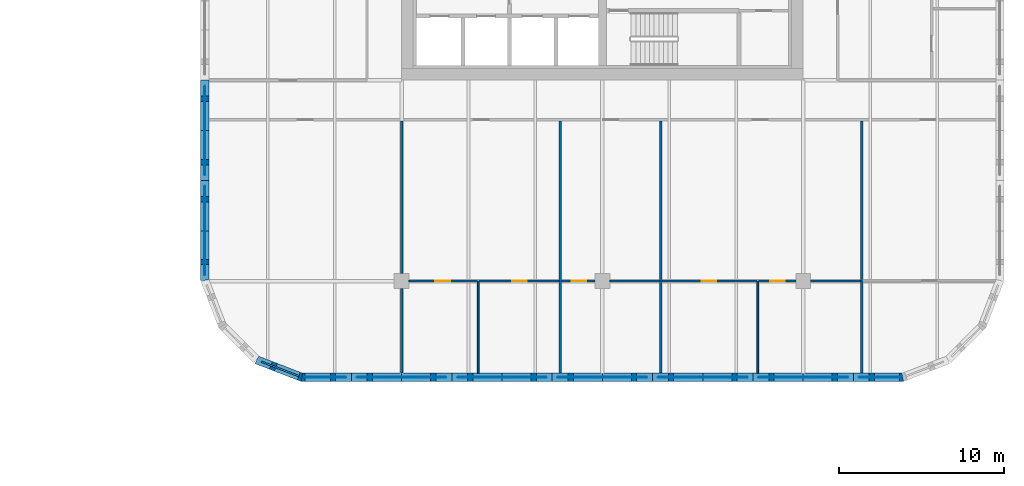
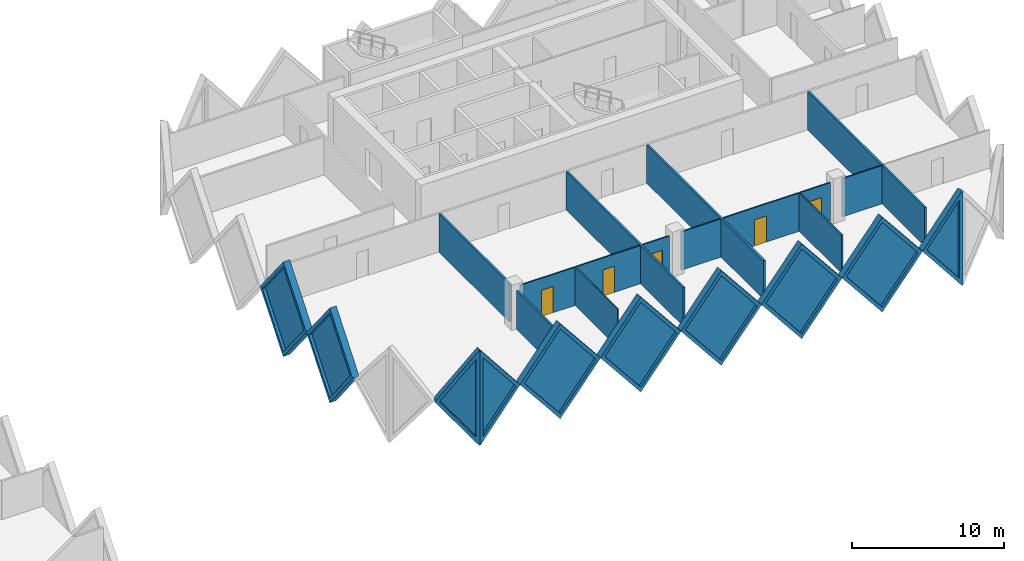
# One storey, part 11 of 18: 25 walls, 10 plates, 5 doors, 15 openings.
"""IFC4 building model written with IfcOpenShell, lengths in metres."""

from ifc_helpers import new_model, si_unit, direction, frame, frame_2d, origin, place, context, subcontext, project, spatial, polyline, rectangle, outline, extrude, faceted_brep, source, transform, mapped, material, layer, layer_set, type_object, element, fill, save


model = new_model("IFC4")

# Units and contexts
model_context = context("Model", 3, precision=1e-05, world=origin(), true_north=direction((0.0, 1.0)))
body_context = subcontext(model_context, "Body", "Model", "MODEL_VIEW")
ifc_project = project(units=[si_unit("LENGTHUNIT", "METRE"), si_unit("AREAUNIT", "SQUARE_METRE"), si_unit("VOLUMEUNIT", "CUBIC_METRE"), si_unit("PLANEANGLEUNIT", "RADIAN"), si_unit("MASSUNIT", "GRAM", prefix="KILO")], contexts=[model_context])

# Site, building, storey
site_placement = place(None, origin())
site = spatial("IfcSite", under=ifc_project, at=site_placement, CompositionType="ELEMENT")
building_placement = place(site_placement, origin())
building = spatial("IfcBuilding", under=site, at=building_placement, Name="Tessera Gate Towers", CompositionType="ELEMENT")
storey_placement = place(building_placement, frame((0.0, 0.0, 56.199951171875)))
storey = spatial("IfcBuildingStorey", under=building, at=storey_placement, Name="L13", CompositionType="ELEMENT", Elevation=56.199951171875)

# Wall, opening, door
ifc_material_1 = material(Name="Glass", Category="glass")
ifc_layer_1 = layer(ifc_material_1, 0.10009765625)
ifc_layer_set_1 = layer_set([ifc_layer_1], Name="GLAZED PARTITION 100")
wall_type_1 = type_object("IfcWallType", Name="GLAZED PARTITION 100", PredefinedType="PARTITIONING", material=ifc_layer_set_1)
wall_1_placement = place(storey_placement, frame((102.210693359375, 24.39990234375, 0.0), z_axis=(0.0, 0.0, 1.0), x_axis=(-1.0, 0.0, 0.0)))
wall_1 = element("IfcWall", 1, at=wall_1_placement, inside=storey, type_object=wall_type_1, Name="T2-L13-PW-007", PredefinedType="PARTITIONING", context=body_context, shape_type="SweptSolid", body=[
    extrude(rectangle(XDim=4.15966796875, YDim=0.10009765625, at=frame_2d((2.079833984375, 0.0))), origin(), (0.0, 0.0, 1.0), 3.067138671875),
])
shared_shape_1 = source(origin(), body_context, "Body", "SweptSolid", [
    extrude(rectangle(XDim=0.89990234375, YDim=2.10009765625, at=frame_2d((0.449951171875, 1.050048828125))), frame((0.0, 0.06005859375, 0.0), z_axis=(0.0, -1.0, 0.0), x_axis=(1.0, 0.0, 0.0)), (0.0, 0.0, 1.0), 0.1201171875),
])
opening_1_placement = place(wall_1_placement, frame((1.659912109375, 0.0, 0.0)))
opening_1 = element("IfcOpeningElement", 2, at=opening_1_placement, cuts=wall_1, Name="Opening D690-B06-01", PredefinedType="OPENING", context=body_context, shape_type="MappedRepresentation", body=[
    mapped(shared_shape_1, transform((0.0, 0.0, 0.0), scale=1.0)),
])
ifc_material_2 = material(Name="Glass in aluminium frame", Category="aluminium")
door_type = type_object("IfcDoorType", Name="GLAZED DOOR 900 NOT RATED", OperationType="NOTDEFINED", PredefinedType="DOOR", material=ifc_material_2)
shared_shape_2 = source(origin(), body_context, "Body", "SweptSolid", [
    extrude(rectangle(XDim=0.89990234375, YDim=2.10009765625, at=frame_2d((0.449951171875, 1.050048828125))), frame((0.0, 0.02490234375, 0.0), z_axis=(0.0, -1.0, 0.0), x_axis=(1.0, 0.0, 0.0)), (0.0, 0.0, 1.0), 0.050048828125),
])
door_1_placement = place(opening_1_placement, origin())
door_1 = element("IfcDoor", 3, at=door_1_placement, inside=storey, type_object=door_type, Name="T2-L13-PD-001", OperationType="SINGLE_SWING_RIGHT", OverallHeight=2.10009765625, OverallWidth=0.89990234375, PredefinedType="DOOR", context=body_context, shape_type="MappedRepresentation", body=[
    mapped(shared_shape_2, transform((0.0, 0.0, 0.0), scale=1.0)),
])
fill(opening_1, door_1)

wall_2_placement = place(storey_placement, frame((107.174072265625, 24.39990234375, 0.0), z_axis=(0.0, 0.0, 1.0), x_axis=(-1.0, 0.0, 0.0)))
wall_2 = element("IfcWall", 4, at=wall_2_placement, inside=storey, type_object=wall_type_1, Name="T2-L13-PW-008", PredefinedType="PARTITIONING", context=body_context, shape_type="SweptSolid", body=[
    extrude(rectangle(XDim=4.861328125, YDim=0.10009765625, at=frame_2d((2.4306640625, 0.0))), origin(), (0.0, 0.0, 1.0), 3.067138671875),
])
opening_2_placement = place(wall_2_placement, frame((1.961181640625, 0.0, 0.0)))
opening_2 = element("IfcOpeningElement", 5, at=opening_2_placement, cuts=wall_2, Name="Opening D690-B06-02", PredefinedType="OPENING", context=body_context, shape_type="MappedRepresentation", body=[
    mapped(shared_shape_1, transform((0.0, 0.0, 0.0), scale=1.0)),
])
door_2_placement = place(opening_2_placement, origin())
door_2 = element("IfcDoor", 6, at=door_2_placement, inside=storey, type_object=door_type, Name="T2-L13-PD-004", OperationType="SINGLE_SWING_RIGHT", OverallHeight=2.10009765625, OverallWidth=0.89990234375, PredefinedType="DOOR", context=body_context, shape_type="MappedRepresentation", body=[
    mapped(shared_shape_2, transform((0.0, 0.0, 0.0), scale=1.0)),
])
fill(opening_2, door_2)

wall_3_placement = place(storey_placement, frame((109.34912109375, 24.39990234375, 0.0), z_axis=(0.0, 0.0, 1.0), x_axis=(-1.0, 0.0, 0.0)))
wall_3 = element("IfcWall", 7, at=wall_3_placement, inside=storey, type_object=wall_type_1, Name="T2-L13-PW-009", PredefinedType="PARTITIONING", context=body_context, shape_type="SweptSolid", body=[
    extrude(rectangle(XDim=2.023193359375, YDim=0.10009765625, at=frame_2d((1.01171875, 0.0))), origin(), (0.0, 0.0, 1.0), 3.067138671875),
])
opening_3_placement = place(wall_3_placement, frame((0.52294921875, 0.0, 0.0)))
opening_3 = element("IfcOpeningElement", 8, at=opening_3_placement, cuts=wall_3, Name="Opening D690-B06-03", PredefinedType="OPENING", context=body_context, shape_type="MappedRepresentation", body=[
    mapped(shared_shape_1, transform((0.0, 0.0, 0.0), scale=1.0)),
])
door_3_placement = place(opening_3_placement, origin())
door_3 = element("IfcDoor", 9, at=door_3_placement, inside=storey, type_object=door_type, Name="T2-L13-PD-005", OperationType="SINGLE_SWING_RIGHT", OverallHeight=2.10009765625, OverallWidth=0.89990234375, PredefinedType="DOOR", context=body_context, shape_type="MappedRepresentation", body=[
    mapped(shared_shape_2, transform((0.0, 0.0, 0.0), scale=1.0)),
])
fill(opening_3, door_3)

# Wall
wall_4_placement = place(storey_placement, frame((110.2509765625, 24.39990234375, 0.0), z_axis=(0.0, 0.0, 1.0), x_axis=(1.0, 0.0, 0.0)))
element("IfcWall", 10, at=wall_4_placement, inside=storey, type_object=wall_type_1, Name="T2-L13-PW-010", PredefinedType="PARTITIONING", context=body_context, shape_type="SweptSolid", body=[
    extrude(rectangle(XDim=3.02294921875, YDim=0.10009765625, at=frame_2d((1.511474609375, 0.0))), origin(), (0.0, 0.0, 1.0), 3.067138671875),
])

# Wall, opening, door
wall_5_placement = place(storey_placement, frame((119.192626953125, 24.39990234375, 0.0), z_axis=(0.0, 0.0, 1.0), x_axis=(-1.0, 0.0, 0.0)))
wall_5 = element("IfcWall", 11, at=wall_5_placement, inside=storey, type_object=wall_type_1, Name="T2-L13-PW-011", PredefinedType="PARTITIONING", context=body_context, shape_type="SweptSolid", body=[
    extrude(rectangle(XDim=5.7666015625, YDim=0.10009765625, at=frame_2d((2.88330078125, 0.0))), origin(), (0.0, 0.0, 1.0), 3.067138671875),
])
opening_4_placement = place(wall_5_placement, frame((2.466796875, 0.0, 0.0)))
opening_4 = element("IfcOpeningElement", 12, at=opening_4_placement, cuts=wall_5, Name="Opening D690-B06-05", PredefinedType="OPENING", context=body_context, shape_type="MappedRepresentation", body=[
    mapped(shared_shape_1, transform((0.0, 0.0, 0.0), scale=1.0)),
])
door_4_placement = place(opening_4_placement, origin())
door_4 = element("IfcDoor", 13, at=door_4_placement, inside=storey, type_object=door_type, Name="T2-L13-PD-011", OperationType="SINGLE_SWING_RIGHT", OverallHeight=2.10009765625, OverallWidth=0.89990234375, PredefinedType="DOOR", context=body_context, shape_type="MappedRepresentation", body=[
    mapped(shared_shape_2, transform((0.0, 0.0, 0.0), scale=1.0)),
])
fill(opening_4, door_4)

wall_6_placement = place(storey_placement, frame((121.549072265625, 24.39990234375, 0.0), z_axis=(0.0, 0.0, 1.0), x_axis=(-1.0, 0.0, 0.0)))
wall_6 = element("IfcWall", 14, at=wall_6_placement, inside=storey, type_object=wall_type_1, Name="T2-L13-PW-012", PredefinedType="PARTITIONING", context=body_context, shape_type="SweptSolid", body=[
    extrude(rectangle(XDim=2.25439453125, YDim=0.10009765625, at=frame_2d((1.127197265625, 0.0))), origin(), (0.0, 0.0, 1.0), 3.067138671875),
])
opening_5_placement = place(wall_6_placement, frame((0.654296875, 0.0, 0.0)))
opening_5 = element("IfcOpeningElement", 15, at=opening_5_placement, cuts=wall_6, Name="Opening D690-B06-04", PredefinedType="OPENING", context=body_context, shape_type="MappedRepresentation", body=[
    mapped(shared_shape_1, transform((0.0, 0.0, 0.0), scale=1.0)),
])
door_5_placement = place(opening_5_placement, origin())
door_5 = element("IfcDoor", 16, at=door_5_placement, inside=storey, type_object=door_type, Name="T2-L13-PD-008", OperationType="SINGLE_SWING_RIGHT", OverallHeight=2.10009765625, OverallWidth=0.89990234375, PredefinedType="DOOR", context=body_context, shape_type="MappedRepresentation", body=[
    mapped(shared_shape_2, transform((0.0, 0.0, 0.0), scale=1.0)),
])
fill(opening_5, door_5)

# Walls
wall_7_placement = place(storey_placement, frame((122.450927734375, 24.39990234375, 0.0), z_axis=(0.0, 0.0, 1.0), x_axis=(1.0, 0.0, 0.0)))
element("IfcWall", 17, at=wall_7_placement, inside=storey, type_object=wall_type_1, Name="T2-L13-PW-013", PredefinedType="PARTITIONING", context=body_context, shape_type="SweptSolid", body=[
    extrude(rectangle(XDim=3.023193359375, YDim=0.10009765625, at=frame_2d((1.51171875, 0.0))), origin(), (0.0, 0.0, 1.0), 3.067138671875),
])
ifc_material_3 = material(Name="Gypsum board on steel studs", Category="steel")
ifc_layer_2 = layer(ifc_material_3, 0.10009765625)
ifc_layer_set_2 = layer_set([ifc_layer_2], Name="PARTITION 100")
wall_type_2 = type_object("IfcWallType", Name="PARTITION 100", PredefinedType="PARTITIONING", material=ifc_layer_set_2)
for number, where, z_axis, x_axis, name in (
    (18, (102.261962890625, 18.800048828125, 0.0), (0.0, 0.0, 1.0), (0.0, 1.0, 0.0), "T2-L13-PW-002"),
    (19, (119.243896484375, 18.800048828125, 0.0), (0.0, 0.0, 1.0), (0.0, 1.0, 0.0), "T2-L13-PW-005"),
):
    element("IfcWall", number, at=place(storey_placement, frame(where, z_axis=z_axis, x_axis=x_axis)), inside=storey, type_object=wall_type_2, Name=name, PredefinedType="PARTITIONING", context=body_context, shape_type="SweptSolid", body=[
        extrude(rectangle(XDim=5.599853515625, YDim=0.10009765625, at=frame_2d((2.7998046875, 0.0))), origin(), (0.0, 0.0, 1.0), 3.067138671875),
    ])
ifc_material_4 = material(Name="Gypsum board on steel studs, mineral wool", Category="steel")
ifc_layer_3 = layer(ifc_material_4, 0.14990234375)
ifc_layer_set_3 = layer_set([ifc_layer_3], Name="TENANCY WALL 150")
wall_type_3 = type_object("IfcWallType", Name="TENANCY WALL 150", PredefinedType="PARTITIONING", material=ifc_layer_set_3)
wall_8_placement = place(storey_placement, frame((97.60009765625, 18.800048828125, 0.0), z_axis=(0.0, 0.0, 1.0), x_axis=(0.0, 1.0, 0.0)))
element("IfcWall", 20, at=wall_8_placement, inside=storey, type_object=wall_type_3, Name="T2-L13-PW-001", PredefinedType="PARTITIONING", context=body_context, shape_type="SweptSolid", body=[
    extrude(rectangle(XDim=5.14892578125, YDim=0.14990234375, at=frame_2d((2.574462890625, 0.0))), origin(), (0.0, 0.0, 1.0), 3.067138671875),
])
for number, where, z_axis, x_axis, name in (
    (21, (107.25, 18.800048828125, 0.0), (0.0, 0.0, 1.0), (0.0, 1.0, 0.0), "T2-L13-PW-003"),
    (22, (113.35009765625, 18.800048828125, 0.0), (0.0, 0.0, 1.0), (0.0, 1.0, 0.0), "T2-L13-PW-004"),
):
    element("IfcWall", number, at=place(storey_placement, frame(where, z_axis=z_axis, x_axis=x_axis)), inside=storey, type_object=wall_type_3, Name=name, PredefinedType="PARTITIONING", context=body_context, shape_type="SweptSolid", body=[
        extrude(rectangle(XDim=15.323974609375, YDim=0.14990234375, at=frame_2d((7.662109375, 0.0))), origin(), (0.0, 0.0, 1.0), 3.067138671875),
    ])
wall_9_placement = place(storey_placement, frame((125.550048828125, 18.800048828125, 0.0), z_axis=(0.0, 0.0, 1.0), x_axis=(0.0, 1.0, 0.0)))
element("IfcWall", 23, at=wall_9_placement, inside=storey, type_object=wall_type_3, Name="T2-L13-PW-006", PredefinedType="PARTITIONING", context=body_context, shape_type="SweptSolid", body=[
    extrude(rectangle(XDim=5.599853515625, YDim=0.14990234375, at=frame_2d((2.7998046875, 0.0))), origin(), (0.0, 0.0, 1.0), 3.067138671875),
])
wall_10_placement = place(storey_placement, frame((125.550048828125, 24.4150390625, 0.0), z_axis=(0.0, 0.0, 1.0), x_axis=(0.0, 1.0, 0.0)))
element("IfcWall", 24, at=wall_10_placement, inside=storey, type_object=wall_type_3, Name="T2-L13-PW-014", PredefinedType="PARTITIONING", context=body_context, shape_type="SweptSolid", body=[
    extrude(rectangle(XDim=9.708984375, YDim=0.14990234375, at=frame_2d((4.8544921875, 0.0))), origin(), (0.0, 0.0, 1.0), 3.067138671875),
])
wall_11_placement = place(storey_placement, frame((97.60009765625, 24.85107421875, 0.0), z_axis=(0.0, 0.0, 1.0), x_axis=(0.0, 1.0, 0.0)))
element("IfcWall", 25, at=wall_11_placement, inside=storey, type_object=wall_type_3, Name="T2-L13-PW-016", PredefinedType="PARTITIONING", context=body_context, shape_type="SweptSolid", body=[
    extrude(rectangle(XDim=9.27294921875, YDim=0.14990234375, at=frame_2d((4.636474609375, 0.0))), origin(), (0.0, 0.0, 1.0), 3.067138671875),
])

# Wall, opening, plate
ifc_material_5 = material(Name="Precast concrete C60/75 white", Category="concrete")
ifc_layer_4 = layer(ifc_material_5, 0.5)
ifc_layer_set_4 = layer_set([ifc_layer_4], Name="TS1 tessera")
wall_type_4 = type_object("IfcWallType", Name="TS1 tessera", PredefinedType="SOLIDWALL", material=ifc_layer_set_4)
shared_shape_3 = source(origin(), body_context, "Body", "Brep", [
    faceted_brep([(3.050048828125, -0.25, 0.0), (6.099853515625, -0.25, 3.7998046875), (6.099853515625, -0.25, 3.80029296875), (3.050048828125, -0.25, 7.60009765625), (0.0, -0.25, 3.800048828125), (0.0, 0.25, 3.800048828125), (3.050048828125, 0.25, 7.60009765625), (6.099853515625, 0.25, 3.80029296875), (6.099853515625, 0.25, 3.7998046875), (3.050048828125, 0.25, 0.0)], [[[0, 1, 2, 3, 4]], [[5, 6, 7, 8, 9]], [[9, 8, 1, 0]], [[7, 6, 3, 2]], [[6, 5, 4, 3]], [[5, 9, 0, 4]], [[1, 8, 7, 2]]]),
])
wall_12_placement = place(storey_placement, frame((94.550048828125, 18.550048828125, -3.800048828125), z_axis=(0.0, 0.0, 1.0), x_axis=(1.0, 0.0, 0.0)))
wall_12 = element("IfcWall", 26, at=wall_12_placement, inside=storey, type_object=wall_type_4, Name="Precast tessera T2 TS1-0144", PredefinedType="SOLIDWALL", context=body_context, shape_type="MappedRepresentation", body=[
    mapped(shared_shape_3, transform((0.0, 0.0, 0.0), scale=1.0)),
])
shared_shape_4 = source(origin(), body_context, "Body", "SweptSolid", [
    extrude(outline(polyline([(3.050048828125, 0.3994140625), (5.779541015625, 3.800048828125), (3.050048828125, 7.20068359375), (0.320556640625, 3.800048828125), (3.050048828125, 0.3994140625)])), frame((0.0, 0.260009765625, 0.0), z_axis=(0.0, -1.0, 0.0), x_axis=(1.0, 0.0, 0.0)), (0.0, 0.0, 1.0), 0.52001953125),
])
opening_6_placement = place(wall_12_placement, origin())
opening_6 = element("IfcOpeningElement", 27, at=opening_6_placement, cuts=wall_12, Name="Opening T2-PL2-0274", PredefinedType="OPENING", context=body_context, shape_type="MappedRepresentation", body=[
    mapped(shared_shape_4, transform((0.0, 0.0, 0.0), scale=1.0)),
])
ifc_material_6 = material(Name="Low-e laminated glass", Category="glass")
ifc_layer_5 = layer(ifc_material_6, 0.06005859375)
ifc_layer_set_5 = layer_set([ifc_layer_5], Name="PL2 rhombic pane")
plate_type = type_object("IfcPlateType", Name="PL2 rhombic pane", PredefinedType="SHEET", material=ifc_layer_set_5)
shared_shape_5 = source(origin(), body_context, "Body", "SweptSolid", [
    extrude(outline(polyline([(3.050048828125, 0.3994140625), (5.779541015625, 3.800048828125), (3.050048828125, 7.20068359375), (0.320556640625, 3.800048828125), (3.050048828125, 0.3994140625)])), frame((0.0, 0.030029296875, 0.0), z_axis=(0.0, -1.0, 0.0), x_axis=(1.0, 0.0, 0.0)), (0.0, 0.0, 1.0), 0.06005859375),
])
plate_1_placement = place(opening_6_placement, origin())
plate_1 = element("IfcPlate", 28, at=plate_1_placement, inside=storey, type_object=plate_type, Name="Glass pane T2 PL2-0274", PredefinedType="SHEET", context=body_context, shape_type="MappedRepresentation", body=[
    mapped(shared_shape_5, transform((0.0, 0.0, 0.0), scale=1.0)),
])
fill(opening_6, plate_1)

wall_13_placement = place(storey_placement, frame((112.85009765625, 18.550048828125, -3.800048828125), z_axis=(0.0, 0.0, 1.0), x_axis=(1.0, 0.0, 0.0)))
wall_13 = element("IfcWall", 29, at=wall_13_placement, inside=storey, type_object=wall_type_4, Name="Precast tessera T2 TS1-0147", PredefinedType="SOLIDWALL", context=body_context, shape_type="MappedRepresentation", body=[
    mapped(shared_shape_3, transform((0.0, 0.0, 0.0), scale=1.0)),
])
opening_7_placement = place(wall_13_placement, origin())
opening_7 = element("IfcOpeningElement", 30, at=opening_7_placement, cuts=wall_13, Name="Opening T2-PL2-0277", PredefinedType="OPENING", context=body_context, shape_type="MappedRepresentation", body=[
    mapped(shared_shape_4, transform((0.0, 0.0, 0.0), scale=1.0)),
])
plate_2_placement = place(opening_7_placement, origin())
plate_2 = element("IfcPlate", 31, at=plate_2_placement, inside=storey, type_object=plate_type, Name="Glass pane T2 PL2-0277", PredefinedType="SHEET", context=body_context, shape_type="MappedRepresentation", body=[
    mapped(shared_shape_5, transform((0.0, 0.0, 0.0), scale=1.0)),
])
fill(opening_7, plate_2)

shared_shape_6 = source(origin(), body_context, "Body", "SweptSolid", [
    extrude(outline(polyline([(3.050048828125, 0.0), (6.10009765625, 3.800048828125), (3.050048828125, 7.60009765625), (0.0, 3.800048828125), (3.050048828125, 0.0)])), frame((0.0, 0.25, 0.0), z_axis=(0.0, -1.0, 0.0), x_axis=(1.0, 0.0, 0.0)), (0.0, 0.0, 1.0), 0.5),
])
wall_14_placement = place(storey_placement, frame((100.64990234375, 18.550048828125, -3.800048828125), z_axis=(0.0, 0.0, 1.0), x_axis=(1.0, 0.0, 0.0)))
wall_14 = element("IfcWall", 32, at=wall_14_placement, inside=storey, type_object=wall_type_4, Name="Precast tessera T2 TS1-0145", PredefinedType="SOLIDWALL", context=body_context, shape_type="MappedRepresentation", body=[
    mapped(shared_shape_6, transform((0.0, 0.0, 0.0), scale=1.0)),
])
opening_8_placement = place(wall_14_placement, origin())
opening_8 = element("IfcOpeningElement", 33, at=opening_8_placement, cuts=wall_14, Name="Opening T2-PL2-0275", PredefinedType="OPENING", context=body_context, shape_type="MappedRepresentation", body=[
    mapped(shared_shape_4, transform((0.0, 0.0, 0.0), scale=1.0)),
])
plate_3_placement = place(opening_8_placement, origin())
plate_3 = element("IfcPlate", 34, at=plate_3_placement, inside=storey, type_object=plate_type, Name="Glass pane T2 PL2-0275", PredefinedType="SHEET", context=body_context, shape_type="MappedRepresentation", body=[
    mapped(shared_shape_5, transform((0.0, 0.0, 0.0), scale=1.0)),
])
fill(opening_8, plate_3)

wall_15_placement = place(storey_placement, frame((106.75, 18.550048828125, -3.800048828125), z_axis=(0.0, 0.0, 1.0), x_axis=(1.0, 0.0, 0.0)))
wall_15 = element("IfcWall", 35, at=wall_15_placement, inside=storey, type_object=wall_type_4, Name="Precast tessera T2 TS1-0146", PredefinedType="SOLIDWALL", context=body_context, shape_type="MappedRepresentation", body=[
    mapped(shared_shape_6, transform((0.0, 0.0, 0.0), scale=1.0)),
])
opening_9_placement = place(wall_15_placement, origin())
opening_9 = element("IfcOpeningElement", 36, at=opening_9_placement, cuts=wall_15, Name="Opening T2-PL2-0276", PredefinedType="OPENING", context=body_context, shape_type="MappedRepresentation", body=[
    mapped(shared_shape_4, transform((0.0, 0.0, 0.0), scale=1.0)),
])
plate_4_placement = place(opening_9_placement, origin())
plate_4 = element("IfcPlate", 37, at=plate_4_placement, inside=storey, type_object=plate_type, Name="Glass pane T2 PL2-0276", PredefinedType="SHEET", context=body_context, shape_type="MappedRepresentation", body=[
    mapped(shared_shape_5, transform((0.0, 0.0, 0.0), scale=1.0)),
])
fill(opening_9, plate_4)

wall_16_placement = place(storey_placement, frame((118.949951171875, 18.550048828125, -3.800048828125), z_axis=(0.0, 0.0, 1.0), x_axis=(1.0, 0.0, 0.0)))
wall_16 = element("IfcWall", 38, at=wall_16_placement, inside=storey, type_object=wall_type_4, Name="Precast tessera T2 TS1-0148", PredefinedType="SOLIDWALL", context=body_context, shape_type="MappedRepresentation", body=[
    mapped(shared_shape_6, transform((0.0, 0.0, 0.0), scale=1.0)),
])
opening_10_placement = place(wall_16_placement, origin())
opening_10 = element("IfcOpeningElement", 39, at=opening_10_placement, cuts=wall_16, Name="Opening T2-PL2-0278", PredefinedType="OPENING", context=body_context, shape_type="MappedRepresentation", body=[
    mapped(shared_shape_4, transform((0.0, 0.0, 0.0), scale=1.0)),
])
plate_5_placement = place(opening_10_placement, origin())
plate_5 = element("IfcPlate", 40, at=plate_5_placement, inside=storey, type_object=plate_type, Name="Glass pane T2 PL2-0278", PredefinedType="SHEET", context=body_context, shape_type="MappedRepresentation", body=[
    mapped(shared_shape_5, transform((0.0, 0.0, 0.0), scale=1.0)),
])
fill(opening_10, plate_5)

wall_17_placement = place(storey_placement, frame((85.64990234375, 36.60009765625, -3.800048828125), z_axis=(0.0, 0.0, 1.0), x_axis=(0.0, -1.0, 0.0)))
wall_17 = element("IfcWall", 41, at=wall_17_placement, inside=storey, type_object=wall_type_4, Name="Precast tessera T2 TS1-0160", PredefinedType="SOLIDWALL", context=body_context, shape_type="MappedRepresentation", body=[
    mapped(shared_shape_6, transform((0.0, 0.0, 0.0), scale=1.0)),
])
opening_11_placement = place(wall_17_placement, origin())
opening_11 = element("IfcOpeningElement", 42, at=opening_11_placement, cuts=wall_17, Name="Opening T2-PL2-0302", PredefinedType="OPENING", context=body_context, shape_type="MappedRepresentation", body=[
    mapped(shared_shape_4, transform((0.0, 0.0, 0.0), scale=1.0)),
])
plate_6_placement = place(opening_11_placement, origin())
plate_6 = element("IfcPlate", 43, at=plate_6_placement, inside=storey, type_object=plate_type, Name="Glass pane T2 PL2-0302", PredefinedType="SHEET", context=body_context, shape_type="MappedRepresentation", body=[
    mapped(shared_shape_5, transform((0.0, 0.0, 0.0), scale=1.0)),
])
fill(opening_11, plate_6)

shared_shape_7 = source(origin(), body_context, "Body", "Brep", [
    faceted_brep([(3.050048828125, -0.25, 0.0), (6.053466796875, -0.25, 3.800048828125), (3.050048828125, -0.25, 7.60009765625), (0.0, -0.25, 3.800048828125), (0.0, 0.25, 3.800048828125), (3.050048828125, 0.25, 7.60009765625), (6.0068359375, 0.25, 3.85888671875), (6.0068359375, 0.25, 3.7412109375), (3.050048828125, 0.25, 0.0), (6.053466796875, 0.0, 3.800048828125)], [[[0, 1, 2, 3]], [[4, 5, 6, 7, 8]], [[8, 7, 9, 1, 0]], [[6, 5, 2, 1, 9]], [[5, 4, 3, 2]], [[4, 8, 0, 3]], [[9, 7, 6]]]),
])
wall_18_placement = place(storey_placement, frame((85.64990234375, 30.5, -3.800048828125), z_axis=(0.0, 0.0, 1.0), x_axis=(0.0, -1.0, 0.0)))
wall_18 = element("IfcWall", 44, at=wall_18_placement, inside=storey, type_object=wall_type_4, Name="Precast tessera T2 TS1-0161", PredefinedType="SOLIDWALL", context=body_context, shape_type="MappedRepresentation", body=[
    mapped(shared_shape_7, transform((0.0, 0.0, 0.0), scale=1.0)),
])
shared_shape_8 = source(origin(), body_context, "Body", "SweptSolid", [
    extrude(outline(polyline([(3.048583984375, 0.4013671875), (5.73486328125, 3.800048828125), (3.048583984375, 7.19873046875), (0.320556640625, 3.800048828125), (3.048583984375, 0.4013671875)])), frame((0.0, 0.260009765625, 0.0), z_axis=(0.0, -1.0, 0.0), x_axis=(1.0, 0.0, 0.0)), (0.0, 0.0, 1.0), 0.52001953125),
])
opening_12_placement = place(wall_18_placement, origin())
opening_12 = element("IfcOpeningElement", 45, at=opening_12_placement, cuts=wall_18, Name="Opening T2-PL2-0303", PredefinedType="OPENING", context=body_context, shape_type="MappedRepresentation", body=[
    mapped(shared_shape_8, transform((0.0, 0.0, 0.0), scale=1.0)),
])
shared_shape_9 = source(origin(), body_context, "Body", "SweptSolid", [
    extrude(outline(polyline([(3.048583984375, 0.4013671875), (5.73486328125, 3.800048828125), (3.048583984375, 7.19873046875), (0.320556640625, 3.800048828125), (3.048583984375, 0.4013671875)])), frame((0.0, 0.030029296875, 0.0), z_axis=(0.0, -1.0, 0.0), x_axis=(1.0, 0.0, 0.0)), (0.0, 0.0, 1.0), 0.06005859375),
])
plate_7_placement = place(opening_12_placement, origin())
plate_7 = element("IfcPlate", 46, at=plate_7_placement, inside=storey, type_object=plate_type, Name="Glass pane T2 PL2-0303", PredefinedType="SHEET", context=body_context, shape_type="MappedRepresentation", body=[
    mapped(shared_shape_9, transform((0.0, 0.0, 0.0), scale=1.0)),
])
fill(opening_12, plate_7)

ifc_material_7 = material(Name="Precast concrete C60/75 white", Category="concrete")
ifc_layer_6 = layer(ifc_material_7, 0.5)
ifc_layer_set_6 = layer_set([ifc_layer_6], Name="TS3 corner tessera")
wall_type_5 = type_object("IfcWallType", Name="TS3 corner tessera", PredefinedType="SOLIDWALL", material=ifc_layer_set_6)
shared_shape_10 = source(origin(), body_context, "Body", "Brep", [
    faceted_brep([(0.046630859375, -0.25, 0.0), (3.050048828125, -0.25, 3.800048828125), (0.046630859375, -0.25, 7.60009765625), (0.0, -0.25, 7.5400390625), (0.0, -0.25, 0.06005859375), (0.09326171875, 0.25, 7.541259765625), (3.050048828125, 0.25, 3.800048828125), (0.09326171875, 0.25, 0.058837890625), (0.046630859375, 0.0, 0.0), (0.046630859375, 0.0, 7.60009765625)], [[[0, 1, 2, 3, 4]], [[5, 6, 7]], [[7, 6, 1, 0, 8]], [[6, 5, 9, 2, 1]], [[3, 2, 9]], [[8, 0, 4]], [[7, 8, 4, 3, 9, 5]]]),
])
wall_19_placement = place(storey_placement, frame((91.5, 18.550048828125, -3.800048828125), z_axis=(0.0, 0.0, 1.0), x_axis=(1.0, 0.0, 0.0)))
wall_19 = element("IfcWall", 47, at=wall_19_placement, inside=storey, type_object=wall_type_5, Name="Precast corner tessera T2 TS3-0177", PredefinedType="SOLIDWALL", context=body_context, shape_type="MappedRepresentation", body=[
    mapped(shared_shape_10, transform((0.0, 0.0, 0.0), scale=1.0)),
])
shared_shape_11 = source(origin(), body_context, "Body", "SweptSolid", [
    extrude(outline(polyline([(0.24658203125, 0.65625), (2.7314453125, 3.800048828125), (0.24658203125, 6.94384765625), (0.24658203125, 0.65625)])), frame((0.0, 0.260009765625, 0.0), z_axis=(0.0, -1.0, 0.0), x_axis=(1.0, 0.0, 0.0)), (0.0, 0.0, 1.0), 0.52001953125),
])
opening_13_placement = place(wall_19_placement, origin())
opening_13 = element("IfcOpeningElement", 48, at=opening_13_placement, cuts=wall_19, Name="Opening T2-PL2-0272", PredefinedType="OPENING", context=body_context, shape_type="MappedRepresentation", body=[
    mapped(shared_shape_11, transform((0.0, 0.0, 0.0), scale=1.0)),
])
shared_shape_12 = source(origin(), body_context, "Body", "SweptSolid", [
    extrude(outline(polyline([(0.24658203125, 0.65625), (2.7314453125, 3.800048828125), (0.24658203125, 6.94384765625), (0.24658203125, 0.65625)])), frame((0.0, 0.030029296875, 0.0), z_axis=(0.0, -1.0, 0.0), x_axis=(1.0, 0.0, 0.0)), (0.0, 0.0, 1.0), 0.06005859375),
])
plate_8_placement = place(opening_13_placement, origin())
plate_8 = element("IfcPlate", 49, at=plate_8_placement, inside=storey, type_object=plate_type, Name="Glass pane T2 PL2-0272", PredefinedType="SHEET", context=body_context, shape_type="MappedRepresentation", body=[
    mapped(shared_shape_12, transform((0.0, 0.0, 0.0), scale=1.0)),
])
fill(opening_13, plate_8)

shared_shape_13 = source(origin(), body_context, "Body", "Brep", [
    faceted_brep([(3.00341796875, -0.25, 0.0), (3.050048828125, -0.25, 0.06005859375), (3.050048828125, -0.25, 7.5400390625), (3.00341796875, -0.25, 7.60009765625), (0.0, -0.25, 3.800048828125), (0.0, 0.25, 3.800048828125), (2.956787109375, 0.25, 7.541259765625), (2.956787109375, 0.25, 0.058837890625), (3.00341796875, 0.000244140625, 0.0), (3.00341796875, 0.000244140625, 7.60009765625)], [[[0, 1, 2, 3, 4]], [[5, 6, 7]], [[1, 0, 8]], [[9, 3, 2]], [[6, 5, 4, 3, 9]], [[5, 7, 8, 0, 4]], [[1, 8, 7, 6, 9, 2]]]),
])
wall_20_placement = place(storey_placement, frame((125.050048828125, 18.550048828125, -3.800048828125), z_axis=(0.0, 0.0, 1.0), x_axis=(1.0, 0.0, 0.0)))
wall_20 = element("IfcWall", 50, at=wall_20_placement, inside=storey, type_object=wall_type_5, Name="Precast corner tessera T2 TS3-0179", PredefinedType="SOLIDWALL", context=body_context, shape_type="MappedRepresentation", body=[
    mapped(shared_shape_13, transform((0.0, 0.0, 0.0), scale=1.0)),
])
shared_shape_14 = source(origin(), body_context, "Body", "SweptSolid", [
    extrude(outline(polyline([(2.803466796875, 6.94384765625), (0.318603515625, 3.800048828125), (2.803466796875, 0.65625), (2.803466796875, 6.94384765625)])), frame((0.0, 0.260009765625, 0.0), z_axis=(0.0, -1.0, 0.0), x_axis=(1.0, 0.0, 0.0)), (0.0, 0.0, 1.0), 0.52001953125),
])
opening_14_placement = place(wall_20_placement, origin())
opening_14 = element("IfcOpeningElement", 51, at=opening_14_placement, cuts=wall_20, Name="Opening T2-PL2-0279", PredefinedType="OPENING", context=body_context, shape_type="MappedRepresentation", body=[
    mapped(shared_shape_14, transform((0.0, 0.0, 0.0), scale=1.0)),
])
shared_shape_15 = source(origin(), body_context, "Body", "SweptSolid", [
    extrude(outline(polyline([(2.803466796875, 6.94384765625), (0.318603515625, 3.800048828125), (2.803466796875, 0.65625), (2.803466796875, 6.94384765625)])), frame((0.0, 0.030029296875, 0.0), z_axis=(0.0, -1.0, 0.0), x_axis=(1.0, 0.0, 0.0)), (0.0, 0.0, 1.0), 0.06005859375),
])
plate_9_placement = place(opening_14_placement, origin())
plate_9 = element("IfcPlate", 52, at=plate_9_placement, inside=storey, type_object=plate_type, Name="Glass pane T2 PL2-0279", PredefinedType="SHEET", context=body_context, shape_type="MappedRepresentation", body=[
    mapped(shared_shape_15, transform((0.0, 0.0, 0.0), scale=1.0)),
])
fill(opening_14, plate_9)

shared_shape_16 = source(origin(), body_context, "Body", "Brep", [
    faceted_brep([(2.950439453125, -0.25, 0.0), (2.9970703125, -0.25, 0.05908203125), (2.9970703125, -0.25, 7.541015625), (2.950439453125, -0.25, 7.60009765625), (0.0, -0.25, 3.800048828125), (0.052978515625, 0.25, 3.8681640625), (2.904052734375, 0.25, 7.540283203125), (2.904052734375, 0.25, 0.059814453125), (0.052978515625, 0.25, 3.73193359375), (2.950439453125, 0.00048828125, 0.0), (2.950439453125, 0.00048828125, 7.60009765625), (0.0, 0.0, 3.800048828125)], [[[0, 1, 2, 3, 4]], [[5, 6, 7, 8]], [[1, 0, 9]], [[10, 3, 2]], [[6, 5, 11, 4, 3, 10]], [[8, 7, 9, 0, 4, 11]], [[8, 11, 5]], [[1, 9, 7, 6, 10, 2]]]),
])
wall_21_placement = place(storey_placement, frame((88.793701171875, 19.61181640625, -3.800048828125), z_axis=(0.0, 0.0, 1.0), x_axis=(0.933000876937, -0.359874094142, 0.0)))
wall_21 = element("IfcWall", 53, at=wall_21_placement, inside=storey, type_object=wall_type_5, Name="Precast corner tessera T2 TS3-0178", PredefinedType="SOLIDWALL", context=body_context, shape_type="MappedRepresentation", body=[
    mapped(shared_shape_16, transform((0.0, 0.0, 0.0), scale=1.0)),
])
shared_shape_17 = source(origin(), body_context, "Body", "SweptSolid", [
    extrude(outline(polyline([(2.75048828125, 6.934814453125), (0.31640625, 3.800048828125), (2.75048828125, 0.665283203125), (2.75048828125, 6.934814453125)])), frame((0.0, 0.260009765625, 0.0), z_axis=(0.0, -1.0, 0.0), x_axis=(1.0, 0.0, 0.0)), (0.0, 0.0, 1.0), 0.52001953125),
])
opening_15_placement = place(wall_21_placement, origin())
opening_15 = element("IfcOpeningElement", 54, at=opening_15_placement, cuts=wall_21, Name="Opening T2-PL2-0273", PredefinedType="OPENING", context=body_context, shape_type="MappedRepresentation", body=[
    mapped(shared_shape_17, transform((0.0, 0.0, 0.0), scale=1.0)),
])
shared_shape_18 = source(origin(), body_context, "Body", "SweptSolid", [
    extrude(outline(polyline([(2.75048828125, 6.934814453125), (0.31640625, 3.800048828125), (2.75048828125, 0.665283203125), (2.75048828125, 6.934814453125)])), frame((0.0, 0.030029296875, 0.0), z_axis=(0.0, -1.0, 0.0), x_axis=(1.0, 0.0, 0.0)), (0.0, 0.0, 1.0), 0.06005859375),
])
plate_10_placement = place(opening_15_placement, origin())
plate_10 = element("IfcPlate", 55, at=plate_10_placement, inside=storey, type_object=plate_type, Name="Glass pane T2 PL2-0273", PredefinedType="SHEET", context=body_context, shape_type="MappedRepresentation", body=[
    mapped(shared_shape_18, transform((0.0, 0.0, 0.0), scale=1.0)),
])
fill(opening_15, plate_10)

save(model, "model.ifc")
